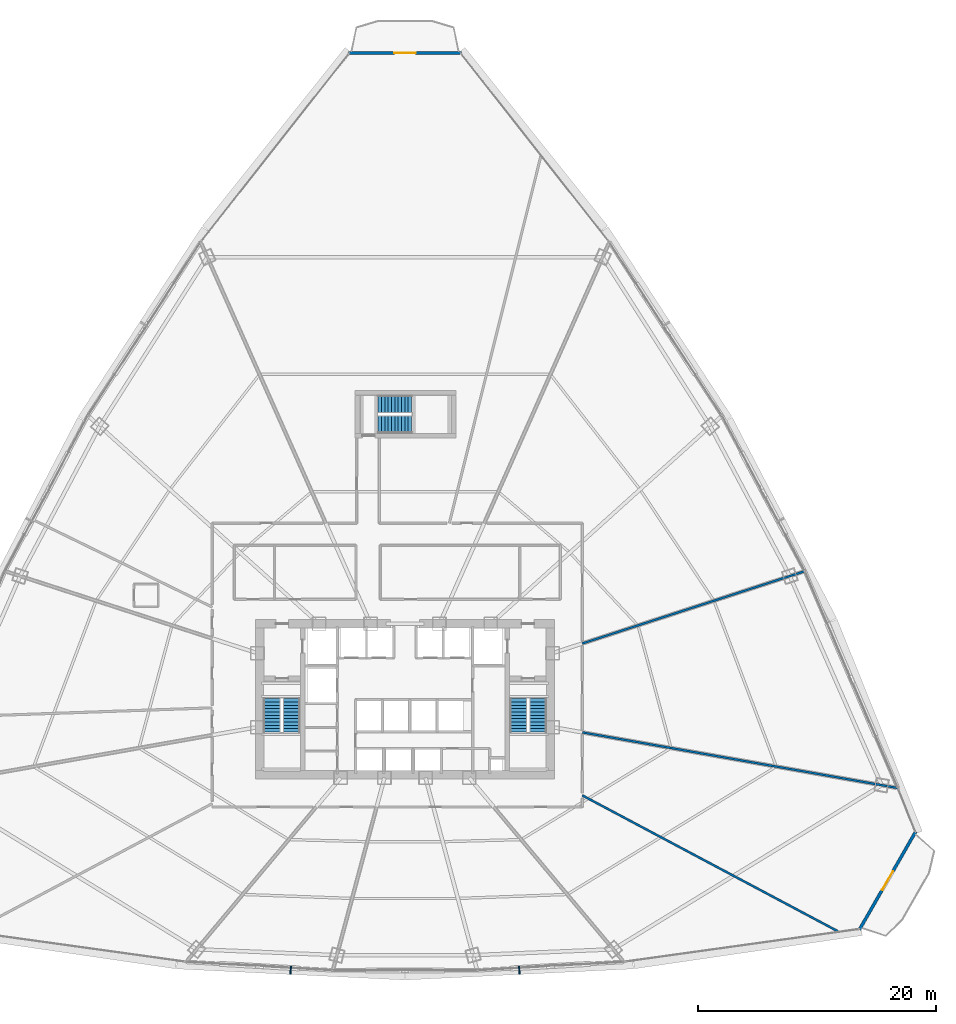
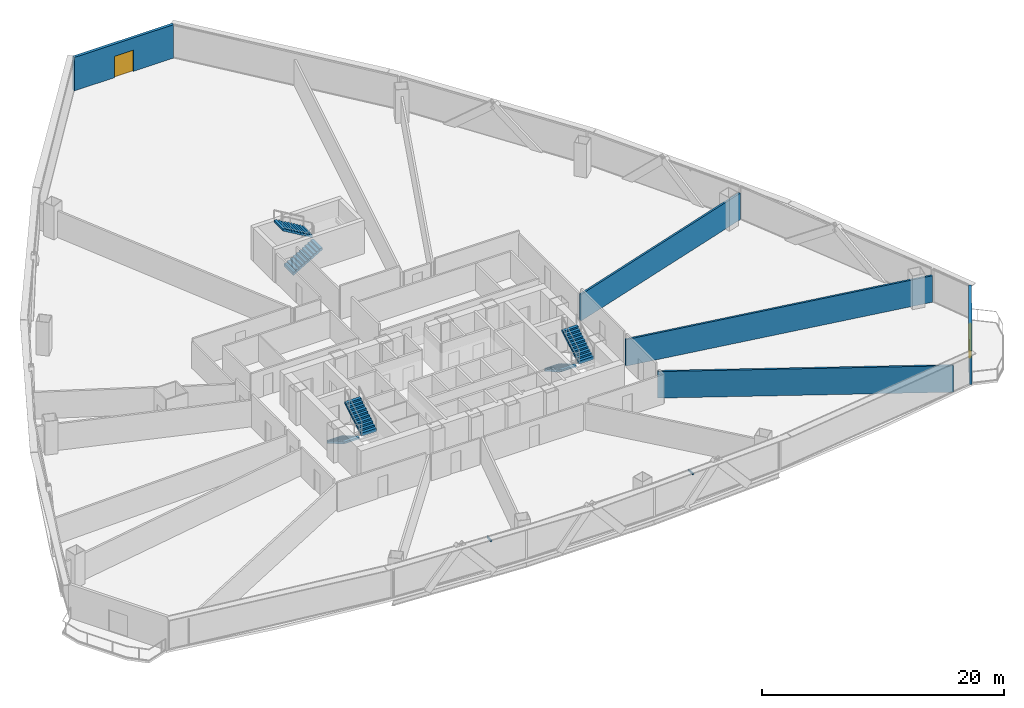
# One storey, part 32 of 37: 6 stair flights, 5 walls, 2 discrete accessories, 2 doors, 2 openings, 3 elements without a shape of their own.
"""IFC4 building model written with IfcOpenShell, lengths in metres."""

import ifcopenshell
import ifcopenshell.guid

model = None  # the IFC model being written
_history = None  # IfcOwnerHistory: only IFC2X3 demands one
_inside = {}  # id of a spatial element -> (the spatial element, [elements in it])
_under = {}  # id of a project, library or spatial element -> (it, [spatial elements below it])
_declared = {}  # id of a project -> (the project, [libraries it declares])
_typed = {}  # id of a type object -> (the type object, [elements of that type])
_made_of = {}  # id of a material, layer set ... -> (it, [elements and type objects made of it])


def new_model(schema):
    """Start an empty IFC model of exactly this schema.

    Asked for "IFC4X3", IfcOpenShell would pick the latest addendum, in which some entities
    have other attributes; the version numbers below select the first issue.
    IFC2X3 requires an IfcOwnerHistory on every rooted entity: one is made here for all.
    """
    global model, _history
    if schema == "IFC4X3":
        model = ifcopenshell.file(schema_version=(4, 3, 0, 0))
    else:
        model = ifcopenshell.file(schema=schema)
    _inside.clear()
    _under.clear()
    _declared.clear()
    _typed.clear()
    _made_of.clear()
    _history = None
    if model.schema == "IFC2X3":
        org = make("IfcOrganization", Name="unknown")
        user = make(
            "IfcPersonAndOrganization",
            ThePerson=make("IfcPerson", FamilyName="unknown"),
            TheOrganization=org,
        )
        app = make(
            "IfcApplication",
            ApplicationDeveloper=org,
            Version="unknown",
            ApplicationFullName="unknown",
            ApplicationIdentifier="unknown",
        )
        _history = make(
            "IfcOwnerHistory",
            OwningUser=user,
            OwningApplication=app,
            ChangeAction="ADDED",
            CreationDate=0,
        )
    return model


def make(cls, **values):
    """One entity of the class cls with the attributes given. An attribute that is None is left unset."""
    return model.create_entity(
        cls, **{name: value for name, value in values.items() if value is not None}
    )


def rooted(cls, **values):
    """An entity with a GlobalId (a new one), such as an element, a storey or a relation."""
    return make(cls, GlobalId=ifcopenshell.guid.new(), OwnerHistory=_history, **values)


def si_unit(unit_type, name, prefix=None):
    """IfcSIUnit, for example si_unit("LENGTHUNIT", "METRE", prefix="MILLI")."""
    return make("IfcSIUnit", UnitType=unit_type, Prefix=prefix, Name=name)


def assignment(units):
    """IfcUnitAssignment: the units of a project."""
    return None if units is None else make("IfcUnitAssignment", Units=units)


def point(xyz):
    """IfcCartesianPoint."""
    return None if xyz is None else make("IfcCartesianPoint", Coordinates=xyz)


def direction(xyz):
    """IfcDirection."""
    return None if xyz is None else make("IfcDirection", DirectionRatios=xyz)


def frame(location, z_axis=None, x_axis=None):
    """IfcAxis2Placement3D, a coordinate frame: its origin and axes. An axis left out is left unset."""
    return make(
        "IfcAxis2Placement3D",
        Location=point(location),
        Axis=direction(z_axis),
        RefDirection=direction(x_axis),
    )


def frame_2d(location, x_axis=None):
    """IfcAxis2Placement2D, a coordinate frame in the plane: its origin and x axis."""
    return make(
        "IfcAxis2Placement2D", Location=point(location), RefDirection=direction(x_axis)
    )


def origin():
    """The frame at (0, 0, 0) with its axes left unset."""
    return frame((0.0, 0.0, 0.0))


def origin_with_axes():
    """The frame at (0, 0, 0) with the z axis (0, 0, 1) and the x axis (1, 0, 0) written out."""
    return frame((0.0, 0.0, 0.0), z_axis=(0.0, 0.0, 1.0), x_axis=(1.0, 0.0, 0.0))


def origin_2d():
    """The frame at (0, 0) in the plane with its x axis left unset."""
    return frame_2d((0.0, 0.0))


def place(relative_to, where):
    """IfcLocalPlacement: puts the frame where relative to a parent placement (None: the world)."""
    return make(
        "IfcLocalPlacement", PlacementRelTo=relative_to, RelativePlacement=where
    )


def context(
    kind, dimensions, precision=None, world=None, true_north=None, identifier=None
):
    """IfcGeometricRepresentationContext, for example the 3D "Model" context."""
    return make(
        "IfcGeometricRepresentationContext",
        ContextIdentifier=identifier,
        ContextType=kind,
        CoordinateSpaceDimension=dimensions,
        Precision=precision,
        WorldCoordinateSystem=world,
        TrueNorth=true_north,
    )


def subcontext(parent, identifier, kind, view, scale=None):
    """IfcGeometricRepresentationSubContext, for example "Body" below "Model"."""
    return make(
        "IfcGeometricRepresentationSubContext",
        ContextIdentifier=identifier,
        ContextType=kind,
        ParentContext=parent,
        TargetScale=scale,
        TargetView=view,
    )


def project(units=None, contexts=None):
    """IfcProject with its units and contexts."""
    return rooted(
        "IfcProject",
        Name="project",
        RepresentationContexts=contexts,
        UnitsInContext=assignment(units),
    )


def spatial(cls, under=None, at=None, **own):
    """A site, building, storey or space (cls), placed at a placement, below another one or the project."""
    s = rooted(cls, ObjectPlacement=at, **own)
    if under is not None:
        _under.setdefault(under.id(), (under, []))[1].append(s)
    return s


def polyline(points):
    """IfcPolyline through the points."""
    return make("IfcPolyline", Points=[point(p) for p in points])


def profile(cls, at=None, kind="AREA", **sizes):
    """A parametric profile (cls). Its sizes go by their IFC names, for example OverallWidth=200.0."""
    return make(cls, ProfileType=kind, Position=at, **sizes)


def rectangle(**sizes):
    """IfcRectangleProfileDef."""
    return profile("IfcRectangleProfileDef", **sizes)


def outline(outer, holes=None, kind="AREA"):
    """IfcArbitraryClosedProfileDef: a profile drawn as a closed curve; with holes, ...WithVoids."""
    if holes is None:
        return make("IfcArbitraryClosedProfileDef", ProfileType=kind, OuterCurve=outer)
    return make(
        "IfcArbitraryProfileDefWithVoids",
        ProfileType=kind,
        OuterCurve=outer,
        InnerCurves=holes,
    )


def extrude(swept, where, along, depth):
    """IfcExtrudedAreaSolid: the profile swept, set in the frame where, extruded along a direction by depth."""
    return make(
        "IfcExtrudedAreaSolid",
        SweptArea=swept,
        Position=where,
        ExtrudedDirection=direction(along),
        Depth=depth,
    )


def shape(context_of_items, identifier, shape_type, items):
    """IfcShapeRepresentation: the items that make up one representation, for example the "Body"."""
    return make(
        "IfcShapeRepresentation",
        ContextOfItems=context_of_items,
        RepresentationIdentifier=identifier,
        RepresentationType=shape_type,
        Items=items,
    )


def source(mapping_origin, context_of_items, identifier, shape_type, items):
    """IfcRepresentationMap: a shape defined once, which mapped items show again and again."""
    return make(
        "IfcRepresentationMap",
        MappingOrigin=mapping_origin,
        MappedRepresentation=shape(context_of_items, identifier, shape_type, items),
    )


def transform(
    local_origin,
    x_axis=None,
    y_axis=None,
    z_axis=None,
    scale=None,
    scale2=None,
    scale3=None,
    uniform=True,
):
    """IfcCartesianTransformationOperator3D, or its non-uniform kind. x_axis, y_axis, z_axis: its Axis1, 2, 3."""
    if uniform:
        return make(
            "IfcCartesianTransformationOperator3D",
            Axis1=direction(x_axis),
            Axis2=direction(y_axis),
            LocalOrigin=point(local_origin),
            Scale=scale,
            Axis3=direction(z_axis),
        )
    return make(
        "IfcCartesianTransformationOperator3DnonUniform",
        Axis1=direction(x_axis),
        Axis2=direction(y_axis),
        LocalOrigin=point(local_origin),
        Scale=scale,
        Axis3=direction(z_axis),
        Scale2=scale2,
        Scale3=scale3,
    )


def mapped(mapping_source, mapping_target):
    """IfcMappedItem: shows the shape of a source again, moved by a transform."""
    return make(
        "IfcMappedItem", MappingSource=mapping_source, MappingTarget=mapping_target
    )


def material(Name=None, Category=None):
    """IfcMaterial."""
    return make("IfcMaterial", Name=Name, Category=Category)


def layer(
    of_material, thickness, ventilated=None, Name=None, Category=None, Priority=None
):
    """IfcMaterialLayer: one layer of a wall or slab, of a material (None: an air gap)."""
    return make(
        "IfcMaterialLayer",
        Material=of_material,
        LayerThickness=thickness,
        IsVentilated=ventilated,
        Name=Name,
        Category=Category,
        Priority=Priority,
    )


def layer_set(layers, Name=None):
    """IfcMaterialLayerSet."""
    return make("IfcMaterialLayerSet", MaterialLayers=layers, LayerSetName=Name)


def made_of(thing, what):
    """Note that an element or type object is made of a material, layer set ...; save() writes the relation."""
    if what is not None:
        _made_of.setdefault(what.id(), (what, []))[1].append(thing)
    return thing


def type_object(cls, material=None, **own):
    """A type object (cls), such as IfcWallType, which elements share."""
    return made_of(rooted(cls, **own), material)


def element(
    cls,
    number,
    at=None,
    inside=None,
    cuts=None,
    type_object=None,
    material=None,
    context=None,
    identifier="Body",
    shape_type=None,
    held_by="IfcProductDefinitionShape",
    body=None,
    shapes=None,
    **own,
):
    """One element of the class cls, such as IfcWall. Its Tag is "e" and its number.

    at: its placement. inside: the storey or other place that contains it. cuts: it is an
    opening in that element (IfcRelVoidsElement). A single representation is given by context,
    identifier, shape_type and body (its items); several are given by shapes. held_by: the class
    of the entity that holds the representations. save() writes the other relations.
    """
    e = rooted(cls, Tag="e%d" % number, ObjectPlacement=at, **own)
    if body is not None:
        shapes = [shape(context, identifier, shape_type, body)]
    if shapes is not None:
        e.Representation = make(held_by, Representations=shapes)
    if inside is not None:
        _inside.setdefault(inside.id(), (inside, []))[1].append(e)
    if cuts is not None:
        rooted(
            "IfcRelVoidsElement", RelatingBuildingElement=cuts, RelatedOpeningElement=e
        )
    if type_object is not None:
        _typed.setdefault(type_object.id(), (type_object, []))[1].append(e)
    return made_of(e, material)


def fill(opening, filler):
    """IfcRelFillsElement: the door or window that sits in an opening."""
    return rooted(
        "IfcRelFillsElement",
        RelatingOpeningElement=opening,
        RelatedBuildingElement=filler,
    )


def aggregate(whole, parts):
    """IfcRelAggregates: a whole, such as a stair, and the parts it consists of."""
    return rooted("IfcRelAggregates", RelatingObject=whole, RelatedObjects=parts)


def save(model, path):
    """Write the relations noted so far, then the file.

    IfcRelAggregates (storeys below a building ...), IfcRelContainedInSpatialStructure (elements
    in a storey), IfcRelDefinesByType, IfcRelAssociatesMaterial and IfcRelDeclares: one each for
    every whole, place, type object, material and project.
    """
    for whole, parts in _under.values():
        aggregate(whole, parts)
    for where, things in _inside.values():
        rooted(
            "IfcRelContainedInSpatialStructure",
            RelatedElements=things,
            RelatingStructure=where,
        )
    for kind, things in _typed.values():
        rooted("IfcRelDefinesByType", RelatedObjects=things, RelatingType=kind)
    for what, things in _made_of.values():
        rooted("IfcRelAssociatesMaterial", RelatedObjects=things, RelatingMaterial=what)
    for by, libraries in _declared.values():
        rooted("IfcRelDeclares", RelatingContext=by, RelatedDefinitions=libraries)
    model.write(path)


model = new_model("IFC4")

# Units and contexts
model_context = context("Model", 3, precision=1e-05, world=origin(), true_north=direction((0.0, 1.0)))
body_context = subcontext(model_context, "Body", "Model", "MODEL_VIEW")
ifc_project = project(units=[si_unit("LENGTHUNIT", "METRE"), si_unit("AREAUNIT", "SQUARE_METRE"), si_unit("VOLUMEUNIT", "CUBIC_METRE"), si_unit("PLANEANGLEUNIT", "RADIAN"), si_unit("MASSUNIT", "GRAM", prefix="KILO"), si_unit("THERMODYNAMICTEMPERATUREUNIT", "KELVIN"), si_unit("POWERUNIT", "WATT")], contexts=[model_context])

# Site, building, storey
site_placement = place(None, origin())
site = spatial("IfcSite", under=ifc_project, at=site_placement, CompositionType="ELEMENT")
building_placement = place(site_placement, origin())
building = spatial("IfcBuilding", under=site, at=building_placement, Name="Yunzhuo Pagoda Commons", CompositionType="ELEMENT")
storey_placement = place(building_placement, frame((0.0, 0.0, 52.179931640625)))
storey = spatial("IfcBuildingStorey", under=building, at=storey_placement, Name="L13", CompositionType="ELEMENT", Elevation=52.179931640625)

# Wall, opening, door
ifc_material_1 = material(Name="Precast concrete C40", Category="concrete")
ifc_layer_1 = layer(ifc_material_1, 0.260009765625)
ifc_layer_set_1 = layer_set([ifc_layer_1], Name="Precast concrete C40")
wall_type_1 = type_object("IfcWallType", Name="W-BAL1 Corner Balcony Threshold Wall 260", PredefinedType="STANDARD", material=ifc_layer_set_1)
wall_1_placement = place(storey_placement, frame((86.183837890625, 14.498779296875, 0.0), z_axis=(0.0, 0.0, 1.0), x_axis=(0.497919395469, 0.86722331358, 0.0)))
wall_1 = element("IfcWall", 1, at=wall_1_placement, inside=storey, type_object=wall_type_1, Name="L13 corner balcony wall V2", PredefinedType="STANDARD", context=body_context, shape_type="SweptSolid", body=[
    extrude(rectangle(XDim=9.50439453125, YDim=0.260009765625, at=frame_2d((4.752197265625, 0.0))), origin(), (0.0, 0.0, 1.0), 3.3701171875),
])
opening_1_placement = place(wall_1_placement, frame((3.852294921875, 0.0, 0.0)))
opening_1 = element("IfcOpeningElement", 2, at=opening_1_placement, cuts=wall_1, Name="Opening D-BAL1", PredefinedType="OPENING", context=body_context, shape_type="SweptSolid", body=[
    extrude(rectangle(XDim=1.800048828125, YDim=2.14990234375, at=frame_2d((0.89990234375, 1.074951171875))), frame((0.0, 0.14013671875, 0.0), z_axis=(0.0, -1.0, 0.0), x_axis=(1.0, 0.0, 0.0)), (0.0, 0.0, 1.0), 0.280029296875),
])
ifc_material_2 = material(Name="Anodized aluminium frame and tempered glazed leaf", Category="aluminium")
door_type = type_object("IfcDoorType", Name="D-BAL1 Corner Balcony Sliding Glazed Door 1800x2150", OperationType="DOUBLE_DOOR_SLIDING", PredefinedType="DOOR", material=ifc_material_2)
shared_shape_1 = source(origin(), body_context, "Body", "SweptSolid", [
    extrude(rectangle(XDim=1.800048828125, YDim=2.14990234375, at=frame_2d((0.89990234375, 1.074951171875))), frame((0.0, 0.02490234375, 0.0), z_axis=(0.0, -1.0, 0.0), x_axis=(1.0, 0.0, 0.0)), (0.0, 0.0, 1.0), 0.050048828125),
])
door_1_placement = place(opening_1_placement, origin_with_axes())
door_1 = element("IfcDoor", 3, at=door_1_placement, inside=storey, type_object=door_type, Name="L13 corner balcony sliding door V2", OperationType="DOUBLE_DOOR_SLIDING", OverallHeight=2.14990234375, OverallWidth=1.800048828125, PredefinedType="DOOR", context=body_context, shape_type="MappedRepresentation", body=[
    mapped(shared_shape_1, transform((0.0, 0.0, 0.0), scale=1.0)),
])
fill(opening_1, door_1)

wall_2_placement = place(storey_placement, frame((52.733154296875, 88.150390625, 0.0), z_axis=(0.0, 0.0, 1.0), x_axis=(-1.0, 0.0, 0.0)))
wall_2 = element("IfcWall", 4, at=wall_2_placement, inside=storey, type_object=wall_type_1, Name="L13 corner balcony wall V3", PredefinedType="STANDARD", context=body_context, shape_type="SweptSolid", body=[
    extrude(rectangle(XDim=9.46630859375, YDim=0.260009765625, at=frame_2d((4.733154296875, 0.0))), origin(), (0.0, 0.0, 1.0), 3.3701171875),
])
opening_2_placement = place(wall_2_placement, frame((3.8330078125, 0.0, 0.0)))
opening_2 = element("IfcOpeningElement", 5, at=opening_2_placement, cuts=wall_2, Name="Opening D-BAL1", PredefinedType="OPENING", context=body_context, shape_type="SweptSolid", body=[
    extrude(rectangle(XDim=1.800048828125, YDim=2.14990234375, at=frame_2d((0.89990234375, 1.074951171875))), frame((0.0, 0.14013671875, 0.0), z_axis=(0.0, -1.0, 0.0), x_axis=(1.0, 0.0, 0.0)), (0.0, 0.0, 1.0), 0.280029296875),
])
door_2_placement = place(opening_2_placement, origin_with_axes())
door_2 = element("IfcDoor", 6, at=door_2_placement, inside=storey, type_object=door_type, Name="L13 corner balcony sliding door V3", OperationType="DOUBLE_DOOR_SLIDING", OverallHeight=2.14990234375, OverallWidth=1.800048828125, PredefinedType="DOOR", context=body_context, shape_type="MappedRepresentation", body=[
    mapped(shared_shape_1, transform((0.0, 0.0, 0.0), scale=1.0)),
])
fill(opening_2, door_2)

# Walls
ifc_material_3 = material(Name="Gypsum plasterboard on acoustic stud")
ifc_layer_2 = layer(ifc_material_3, 0.179931640625)
ifc_layer_set_2 = layer_set([ifc_layer_2], Name="Gypsum plasterboard on acoustic stud")
wall_type_2 = type_object("IfcWallType", Name="W-PRT2 Acoustic Unit Demising Wall 180", PredefinedType="PARTITIONING", material=ifc_layer_set_2)
wall_3_placement = place(storey_placement, frame((62.89990234375, 38.541259765625, 0.0), z_axis=(0.0, 0.0, 1.0), x_axis=(0.951053317048, 0.309026840471, 0.0)))
element("IfcWall", 7, at=wall_3_placement, inside=storey, type_object=wall_type_2, Name="L13 interior wall IW-L13-RAD01", PredefinedType="PARTITIONING", context=body_context, shape_type="SweptSolid", body=[
    extrude(rectangle(XDim=19.66552734375, YDim=0.179931640625, at=frame_2d((9.832763671875, 0.0))), origin(), (0.0, 0.0, 1.0), 2.670166015625),
])
wall_4_placement = place(storey_placement, frame((62.89990234375, 25.777587890625, 0.0), z_axis=(0.0, 0.0, 1.0), x_axis=(0.882949316257, -0.469468321531, 0.0)))
element("IfcWall", 8, at=wall_4_placement, inside=storey, type_object=wall_type_2, Name="L13 interior wall IW-L13-RAD13", PredefinedType="PARTITIONING", context=body_context, shape_type="SweptSolid", body=[
    extrude(rectangle(XDim=24.43701171875, YDim=0.179931640625, at=frame_2d((12.218505859375, 0.0))), origin(), (0.0, 0.0, 1.0), 2.670166015625),
])
wall_5_placement = place(storey_placement, frame((62.89990234375, 31.07275390625, 0.0), z_axis=(0.0, 0.0, 1.0), x_axis=(0.984808099647, -0.173646211791, 0.0)))
element("IfcWall", 9, at=wall_5_placement, inside=storey, type_object=wall_type_2, Name="L13 interior wall IW-L13-RAD14", PredefinedType="PARTITIONING", context=body_context, shape_type="SweptSolid", body=[
    extrude(rectangle(XDim=26.929931640625, YDim=0.179931640625, at=frame_2d((13.46484375, 0.0))), origin(), (0.0, 0.0, 1.0), 2.670166015625),
])

# Stair, stair flights
ifc_material_4 = material(Name="Concrete C40", Category="concrete")
stair_type_1 = type_object("IfcStairType", Name="ST-C1 Core Smokeproof Stair ST1", PredefinedType="HALF_TURN_STAIR", material=ifc_material_4)
stair_1_placement = place(storey_placement, origin())
stair_1 = element("IfcStair", 10, at=stair_1_placement, inside=storey, type_object=stair_type_1, Name="L13 Core smokeproof stair ST1", PredefinedType="HALF_TURN_STAIR")
stair_flight_type_1 = type_object("IfcStairFlightType", Name="STF-C1 Core Stair Flight 1450", PredefinedType="STRAIGHT", material=ifc_material_4)
shared_shape_2 = source(origin(), body_context, "Body", "SweptSolid", [
    extrude(outline(polyline([(0.0, -0.14990234375), (0.0, 0.0), (0.0, 0.1650390625), (0.280029296875, 0.1650390625), (0.280029296875, 0.330078125), (0.56005859375, 0.330078125), (0.56005859375, 0.4951171875), (0.840087890625, 0.4951171875), (0.840087890625, 0.659912109375), (1.1201171875, 0.659912109375), (1.1201171875, 0.824951171875), (1.39990234375, 0.824951171875), (1.39990234375, 0.989990234375), (1.679931640625, 0.989990234375), (1.679931640625, 1.155029296875), (1.9599609375, 1.155029296875), (1.9599609375, 1.320068359375), (2.239990234375, 1.320068359375), (2.239990234375, 1.485107421875), (2.52001953125, 1.485107421875), (2.52001953125, 1.64990234375), (2.800048828125, 1.64990234375), (2.800048828125, 1.81494140625), (2.800048828125, 1.47607421875), (0.295166015625, 0.0), (0.050048828125, -0.14990234375), (0.0, -0.14990234375)])), frame((0.0, 0.72509765625, 0.0), z_axis=(0.0, -1.0, 0.0), x_axis=(1.0, 0.0, 0.0)), (0.0, 0.0, 1.0), 1.449951171875),
])
stair_flight_1_placement = place(storey_placement, frame((36.824951171875, 33.89990234375, 0.0), z_axis=(0.0, 0.0, 1.0), x_axis=(0.0, -1.0, 0.0)))
stair_flight_1 = element("IfcStairFlight", 11, at=stair_flight_1_placement, type_object=stair_flight_type_1, Name="ST1 flight 1", NumberOfRisers=11, NumberOfTreads=10, PredefinedType="STRAIGHT", RiserHeight=0.165, TreadLength=0.28, context=body_context, shape_type="MappedRepresentation", body=[
    mapped(shared_shape_2, transform((0.0, 0.0, 0.0), scale=1.0)),
])
stair_flight_2_placement = place(storey_placement, frame((38.47509765625, 31.10009765625, 1.815185546875), z_axis=(0.0, 0.0, 1.0), x_axis=(0.0, 1.0, 0.0)))
stair_flight_2 = element("IfcStairFlight", 12, at=stair_flight_2_placement, type_object=stair_flight_type_1, Name="ST1 flight 2", NumberOfRisers=11, NumberOfTreads=10, PredefinedType="STRAIGHT", RiserHeight=0.165, TreadLength=0.28, context=body_context, shape_type="MappedRepresentation", body=[
    mapped(shared_shape_2, transform((0.0, 0.0, 0.0), scale=1.0)),
])
aggregate(stair_1, [stair_flight_1, stair_flight_2])

stair_type_2 = type_object("IfcStairType", Name="ST-C2 Core Smokeproof Stair ST2", PredefinedType="HALF_TURN_STAIR", material=ifc_material_4)
stair_2_placement = place(storey_placement, origin())
stair_2 = element("IfcStair", 13, at=stair_2_placement, inside=storey, type_object=stair_type_2, Name="L13 Core smokeproof stair ST2", PredefinedType="HALF_TURN_STAIR")
stair_flight_type_2 = type_object("IfcStairFlightType", Name="STF-C2 Core Stair Flight 1460", PredefinedType="STRAIGHT", material=ifc_material_4)
stair_flight_3_placement = place(storey_placement, frame((57.52490234375, 33.89990234375, 0.0), z_axis=(0.0, 0.0, 1.0), x_axis=(0.0, -1.0, 0.0)))
stair_flight_3 = element("IfcStairFlight", 14, at=stair_flight_3_placement, type_object=stair_flight_type_2, Name="ST2 flight 1", NumberOfRisers=11, NumberOfTreads=10, PredefinedType="STRAIGHT", RiserHeight=0.165, TreadLength=0.28, context=body_context, shape_type="MappedRepresentation", body=[
    mapped(shared_shape_2, transform((0.0, 0.0, 0.0), scale=1.0)),
])
stair_flight_4_placement = place(storey_placement, frame((59.175048828125, 31.10009765625, 1.815185546875), z_axis=(0.0, 0.0, 1.0), x_axis=(0.0, 1.0, 0.0)))
stair_flight_4 = element("IfcStairFlight", 15, at=stair_flight_4_placement, type_object=stair_flight_type_2, Name="ST2 flight 2", NumberOfRisers=11, NumberOfTreads=10, PredefinedType="STRAIGHT", RiserHeight=0.165, TreadLength=0.28, context=body_context, shape_type="MappedRepresentation", body=[
    mapped(shared_shape_2, transform((0.0, 0.0, 0.0), scale=1.0)),
])
aggregate(stair_2, [stair_flight_3, stair_flight_4])

stair_type_3 = type_object("IfcStairType", Name="ST-C3 North Tower Smokeproof Stair ST3", PredefinedType="HALF_TURN_STAIR", material=ifc_material_4)
stair_3_placement = place(storey_placement, origin())
stair_3 = element("IfcStair", 16, at=stair_3_placement, inside=storey, type_object=stair_type_3, Name="L13 North tower smokeproof stair ST3", PredefinedType="HALF_TURN_STAIR")
stair_flight_type_3 = type_object("IfcStairFlightType", Name="STF-C3 North Stair Flight 1500", PredefinedType="STRAIGHT", material=ifc_material_4)
shared_shape_3 = source(origin(), body_context, "Body", "SweptSolid", [
    extrude(outline(polyline([(0.0, -0.14990234375), (0.0, 0.0), (0.0, 0.1650390625), (0.280029296875, 0.1650390625), (0.280029296875, 0.330078125), (0.56005859375, 0.330078125), (0.56005859375, 0.4951171875), (0.840087890625, 0.4951171875), (0.840087890625, 0.659912109375), (1.1201171875, 0.659912109375), (1.1201171875, 0.824951171875), (1.39990234375, 0.824951171875), (1.39990234375, 0.989990234375), (1.679931640625, 0.989990234375), (1.679931640625, 1.155029296875), (1.9599609375, 1.155029296875), (1.9599609375, 1.320068359375), (2.239990234375, 1.320068359375), (2.239990234375, 1.485107421875), (2.52001953125, 1.485107421875), (2.52001953125, 1.64990234375), (2.800048828125, 1.64990234375), (2.800048828125, 1.81494140625), (2.800048828125, 1.47607421875), (0.295166015625, 0.0), (0.050048828125, -0.14990234375), (0.0, -0.14990234375)])), frame((0.0, 0.75, 0.0), z_axis=(0.0, -1.0, 0.0), x_axis=(1.0, 0.0, 0.0)), (0.0, 0.0, 1.0), 1.5),
])
stair_flight_5_placement = place(storey_placement, frame((45.75, 56.949951171875, 0.0), z_axis=(0.0, 0.0, 1.0), x_axis=(1.0, 0.0, 0.0)))
stair_flight_5 = element("IfcStairFlight", 17, at=stair_flight_5_placement, type_object=stair_flight_type_3, Name="ST3 flight 1", NumberOfRisers=11, NumberOfTreads=10, PredefinedType="STRAIGHT", RiserHeight=0.165, TreadLength=0.28, context=body_context, shape_type="MappedRepresentation", body=[
    mapped(shared_shape_3, transform((0.0, 0.0, 0.0), scale=1.0)),
])
stair_flight_6_placement = place(storey_placement, frame((48.550048828125, 58.64990234375, 1.815185546875), z_axis=(0.0, 0.0, 1.0), x_axis=(-1.0, 0.0, 0.0)))
stair_flight_6 = element("IfcStairFlight", 18, at=stair_flight_6_placement, type_object=stair_flight_type_3, Name="ST3 flight 2", NumberOfRisers=11, NumberOfTreads=10, PredefinedType="STRAIGHT", RiserHeight=0.165, TreadLength=0.28, context=body_context, shape_type="MappedRepresentation", body=[
    mapped(shared_shape_3, transform((0.0, 0.0, 0.0), scale=1.0)),
])
aggregate(stair_3, [stair_flight_5, stair_flight_6])

# Discrete accessories
ifc_material_5 = material(Name="Anodized aluminium 6063-T6", Category="aluminium")
discrete_accessory_type = type_object("IfcDiscreteAccessoryType", Name="BK-SUN1 Sunshade Outrigger Bracket", PredefinedType="BRACKET", material=ifc_material_5)
shared_shape_4 = source(origin(), body_context, "Body", "SweptSolid", [
    extrude(rectangle(XDim=0.1201171875, YDim=0.679931640625, at=origin_2d()), origin(), (0.0, 0.0, 1.0), 0.179931640625),
])
for number, where, z_axis, x_axis, name in (
    (19, (38.3974609375, 11.096923828125, 3.16015625), (0.0, 0.0, 1.0), (0.998818043775, -0.04860571396, 0.0), "L13 sunshade outrigger bracket F1.2"),
    (20, (57.6025390625, 11.096923828125, 3.16015625), (0.0, 0.0, 1.0), (0.998818043775, 0.04860571396, 0.0), "L13 sunshade outrigger bracket F1.3"),
):
    element("IfcDiscreteAccessory", number, at=place(storey_placement, frame(where, z_axis=z_axis, x_axis=x_axis)), inside=storey, type_object=discrete_accessory_type, Name=name, PredefinedType="BRACKET", context=body_context, shape_type="MappedRepresentation", body=[
        mapped(shared_shape_4, transform((0.0, 0.0, 0.0), scale=1.0)),
    ])

save(model, "model.ifc")
